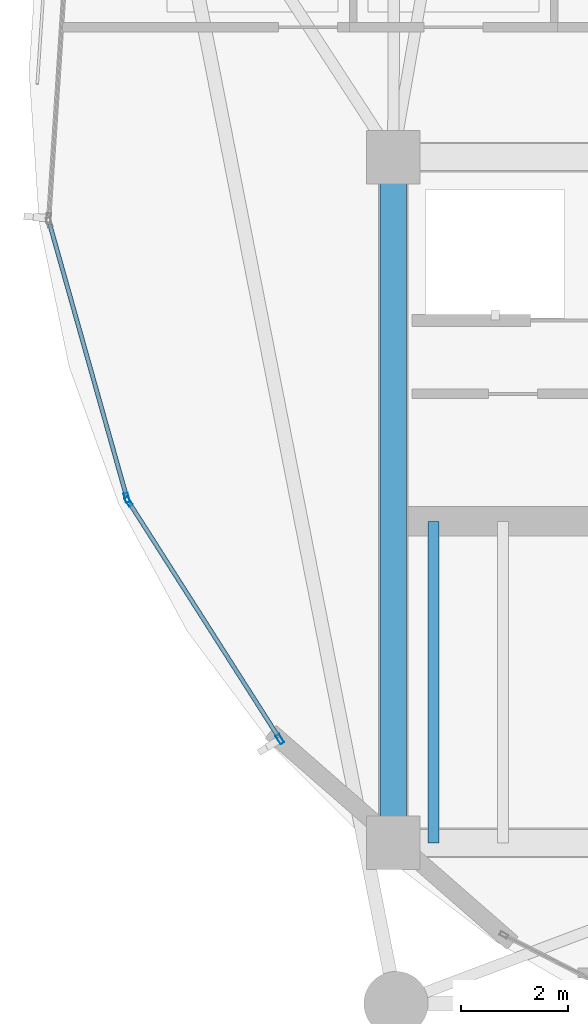
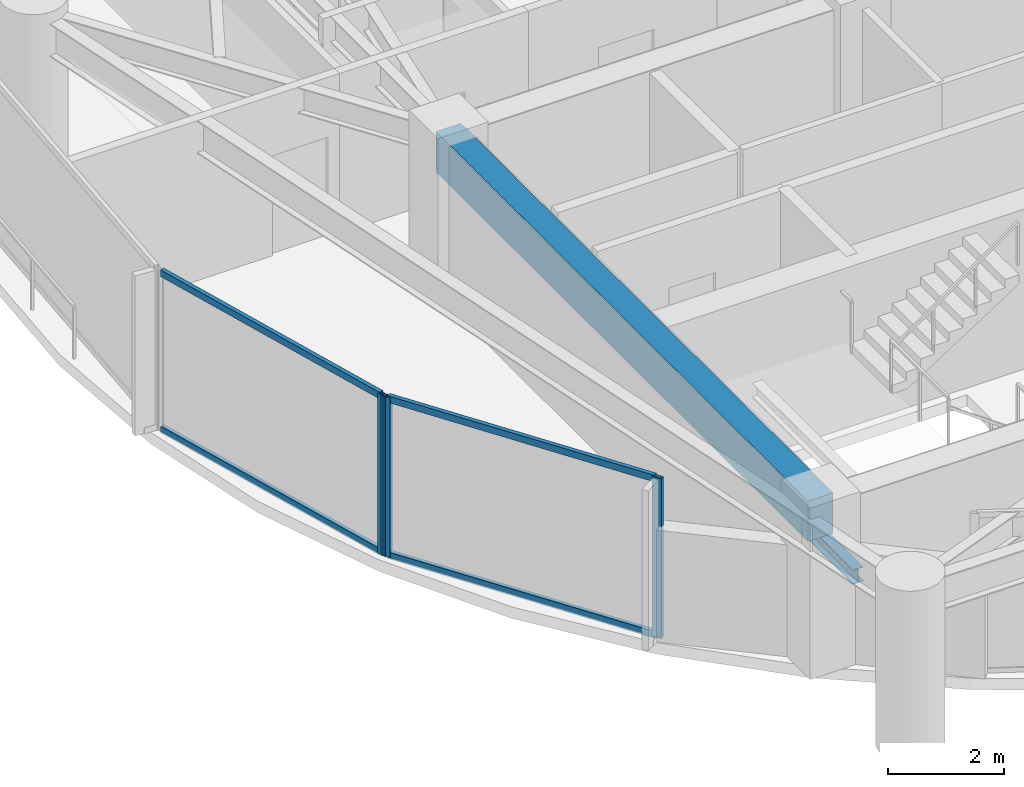
# One storey, part 3 of 31: 7 members, 2 beams, 2 elements without a shape of their own.
"""IFC4 building model written with IfcOpenShell, lengths in metres."""

from ifc_helpers import new_model, si_unit, direction, frame, origin, origin_2d, place, context, subcontext, project, spatial, rectangle, hollow_rectangle, i_section, extrude, material, layer, layer_set, material_profile, profile_set, type_object, element, aggregate, save


model = new_model("IFC4")

# Units and contexts
model_context = context("Model", 3, precision=1e-05, world=origin(), true_north=direction((0.0, 1.0)))
body_context = subcontext(model_context, "Body", "Model", "MODEL_VIEW")
ifc_project = project(units=[si_unit("LENGTHUNIT", "METRE"), si_unit("AREAUNIT", "SQUARE_METRE"), si_unit("VOLUMEUNIT", "CUBIC_METRE"), si_unit("PLANEANGLEUNIT", "RADIAN"), si_unit("MASSUNIT", "GRAM", prefix="KILO")], contexts=[model_context])

# Site, building, storey
site_placement = place(None, origin())
site = spatial("IfcSite", under=ifc_project, at=site_placement, CompositionType="ELEMENT")
building_placement = place(site_placement, origin())
building = spatial("IfcBuilding", under=site, at=building_placement, Name="Kazevale Care Tower and Concert Hall", CompositionType="ELEMENT")
storey_placement = place(building_placement, frame((0.0, 0.0, 117.0)))
storey = spatial("IfcBuildingStorey", under=building, at=storey_placement, Name="L30", CompositionType="ELEMENT", Elevation=117.0)

# Curtain wall, members
ifc_material_1 = material(Name="Aluminium 6063-T6 and Low-E Glass", Category="aluminium")
ifc_layer = layer(ifc_material_1, 0.179931640625)
ifc_layer_set = layer_set([ifc_layer], Name="Aluminium 6063-T6 and Low-E Glass")
curtain_wall_type = type_object("IfcCurtainWallType", Name="Waist & Upper Residential Curtain Wall CW-4", PredefinedType="NOTDEFINED", material=ifc_layer_set)
curtain_wall_1_placement = place(storey_placement, origin())
curtain_wall_1 = element("IfcCurtainWall", 1, at=curtain_wall_1_placement, inside=storey, type_object=curtain_wall_type, Name="cw:L30:f11", PredefinedType="NOTDEFINED")
ifc_material_2 = material(Name="Aluminium 6063-T6", Category="aluminium")
ifc_material_profile_1 = material_profile(ifc_material_2, hollow_rectangle(XDim=0.080078125, YDim=0.179931640625, WallThickness=0.0048828125, at=origin_2d()), Name="ALU80x180x5")
ifc_profile_set_1 = profile_set([ifc_material_profile_1], Name="Aluminium 6063-T6")
member_type_1 = type_object("IfcMemberType", Name="CW-4 Mullion ALU80x180x5", PredefinedType="MULLION", material=ifc_profile_set_1)
member_1_placement = place(storey_placement, frame((19.882568359375, 25.53564453125, 0.0), z_axis=(0.0, 0.0, 1.0), x_axis=(-0.843429930967, -0.537239193981, 0.0)))
member_1 = element("IfcMember", 2, at=member_1_placement, type_object=member_type_1, Name="CW-4 mullion 1", PredefinedType="MULLION", context=body_context, shape_type="SweptSolid", body=[
    extrude(hollow_rectangle(XDim=0.080078125, YDim=0.179931640625, WallThickness=0.0048828125, at=origin_2d()), origin(), (0.0, 0.0, 1.0), 3.360107421875),
])
member_2_placement = place(storey_placement, frame((17.05859375, 29.96923828125, 0.0), z_axis=(0.0, 0.0, 1.0), x_axis=(-0.843429930967, -0.537239193981, 0.0)))
member_2 = element("IfcMember", 3, at=member_2_placement, type_object=member_type_1, Name="CW-4 mullion 2", PredefinedType="MULLION", context=body_context, shape_type="SweptSolid", body=[
    extrude(hollow_rectangle(XDim=0.080078125, YDim=0.179931640625, WallThickness=0.0048828125, at=origin_2d()), origin(), (0.0, 0.0, 1.0), 3.360107421875),
])

# Curtain wall, member
curtain_wall_2_placement = place(storey_placement, origin())
curtain_wall_2 = element("IfcCurtainWall", 4, at=curtain_wall_2_placement, inside=storey, type_object=curtain_wall_type, Name="cw:L30:f12", PredefinedType="NOTDEFINED")
member_3_placement = place(storey_placement, frame((17.026123046875, 30.04150390625, 0.0), z_axis=(0.0, 0.0, 1.0), x_axis=(-0.962499078876, -0.271284948278, 0.0)))
member_3 = element("IfcMember", 5, at=member_3_placement, type_object=member_type_1, Name="CW-4 mullion 1", PredefinedType="MULLION", context=body_context, shape_type="SweptSolid", body=[
    extrude(hollow_rectangle(XDim=0.080078125, YDim=0.179931640625, WallThickness=0.0048828125, at=origin_2d()), origin(), (0.0, 0.0, 1.0), 3.360107421875),
])

# Member
ifc_material_profile_2 = material_profile(ifc_material_2, hollow_rectangle(XDim=0.080078125, YDim=0.139892578125, WallThickness=0.00390625, at=origin_2d()), Name="ALU80x140x4")
ifc_profile_set_2 = profile_set([ifc_material_profile_2], Name="Aluminium 6063-T6")
member_type_2 = type_object("IfcMemberType", Name="CW-4 Transom ALU80x140x4", PredefinedType="USERDEFINED", material=ifc_profile_set_2)
member_4_placement = place(storey_placement, frame((19.861083984375, 25.569580078125, 0.0400390625), z_axis=(-0.537241653837, 0.843428364109, 0.0), x_axis=(-0.843428364109, -0.537241653837, 0.0)))
member_4 = element("IfcMember", 6, at=member_4_placement, type_object=member_type_2, Name="CW-4 transom 1.1", ObjectType="TRANSOM", PredefinedType="USERDEFINED", context=body_context, shape_type="SweptSolid", body=[
    extrude(hollow_rectangle(XDim=0.080078125, YDim=0.139892578125, WallThickness=0.00390625, at=origin_2d()), origin(), (0.0, 0.0, 1.0), 5.176513671875),
])

member_5_placement = place(storey_placement, frame((19.861083984375, 25.569580078125, 3.320068359375), z_axis=(-0.537241653837, 0.843428364109, 0.0), x_axis=(-0.843428364109, -0.537241653837, 0.0)))
member_5 = element("IfcMember", 7, at=member_5_placement, type_object=member_type_2, Name="CW-4 transom 1.2", ObjectType="TRANSOM", PredefinedType="USERDEFINED", context=body_context, shape_type="SweptSolid", body=[
    extrude(hollow_rectangle(XDim=0.080078125, YDim=0.139892578125, WallThickness=0.00390625, at=origin_2d()), origin(), (0.0, 0.0, 1.0), 5.176513671875),
])

aggregate(curtain_wall_1, [member_1, member_2, member_4, member_5])

member_6_placement = place(storey_placement, frame((17.015380859375, 30.080078125, 0.0400390625), z_axis=(-0.271312503244, 0.962491311952, 0.0), x_axis=(-0.962491311952, -0.271312503244, 0.0)))
member_6 = element("IfcMember", 8, at=member_6_placement, type_object=member_type_2, Name="CW-4 transom 1.1", ObjectType="TRANSOM", PredefinedType="USERDEFINED", context=body_context, shape_type="SweptSolid", body=[
    extrude(hollow_rectangle(XDim=0.080078125, YDim=0.139892578125, WallThickness=0.00390625, at=origin_2d()), origin(), (0.0, 0.0, 1.0), 5.26220703125),
])

member_7_placement = place(storey_placement, frame((17.015380859375, 30.080078125, 3.320068359375), z_axis=(-0.271312503244, 0.962491311952, 0.0), x_axis=(-0.962491311952, -0.271312503244, 0.0)))
member_7 = element("IfcMember", 9, at=member_7_placement, type_object=member_type_2, Name="CW-4 transom 1.2", ObjectType="TRANSOM", PredefinedType="USERDEFINED", context=body_context, shape_type="SweptSolid", body=[
    extrude(hollow_rectangle(XDim=0.080078125, YDim=0.139892578125, WallThickness=0.00390625, at=origin_2d()), origin(), (0.0, 0.0, 1.0), 5.26220703125),
])

aggregate(curtain_wall_2, [member_3, member_6, member_7])

# Beams
ifc_material_3 = material(Name="Concrete C60", Category="concrete")
ifc_material_profile_3 = material_profile(ifc_material_3, rectangle(XDim=0.5, YDim=0.85009765625, at=origin_2d()), Name="RC-B500x850")
ifc_profile_set_3 = profile_set([ifc_material_profile_3], Name="Concrete C60")
beam_type_1 = type_object("IfcBeamType", Name="Core Coupling Beam RC500x850", PredefinedType="LINTEL", material=ifc_profile_set_3)
beam_1_placement = place(storey_placement, frame((22.0, 36.39990234375, 2.93505859375), z_axis=(0.0, -1.0, 0.0), x_axis=(1.0, 0.0, 0.0)))
element("IfcBeam", 10, at=beam_1_placement, inside=storey, type_object=beam_type_1, Name="beam:L30:coretie:8", PredefinedType="LINTEL", context=body_context, shape_type="SweptSolid", body=[
    extrude(rectangle(XDim=0.5, YDim=0.85009765625, at=origin_2d()), origin(), (0.0, 0.0, 1.0), 12.7998046875),
])
ifc_material_4 = material(Name="Steel ASTM A572 Gr 50", Category="steel")
ifc_material_profile_4 = material_profile(ifc_material_4, i_section(OverallWidth=0.202880859375, OverallDepth=0.302978515625, WebThickness=0.007568359375, FlangeThickness=0.01318359375, at=origin_2d()), Name="W310x60")
ifc_profile_set_4 = profile_set([ifc_material_profile_4], Name="Steel ASTM A572 Gr 50")
beam_type_2 = type_object("IfcBeamType", Name="Stair & Balcony Trimmer W310x60", PredefinedType="BEAM", material=ifc_profile_set_4)
beam_2_placement = place(storey_placement, frame((22.75, 23.60009765625, 1.448486328125), z_axis=(0.0, 1.0, 0.0), x_axis=(-1.0, 0.0, 0.0)))
element("IfcBeam", 11, at=beam_2_placement, inside=storey, type_object=beam_type_2, Name="beam:L30:sttrim:ST1", PredefinedType="BEAM", context=body_context, shape_type="SweptSolid", body=[
    extrude(i_section(OverallWidth=0.202880859375, OverallDepth=0.302978515625, WebThickness=0.007568359375, FlangeThickness=0.01318359375, at=origin_2d()), origin(), (0.0, 0.0, 1.0), 6.0),
])

save(model, "model.ifc")
